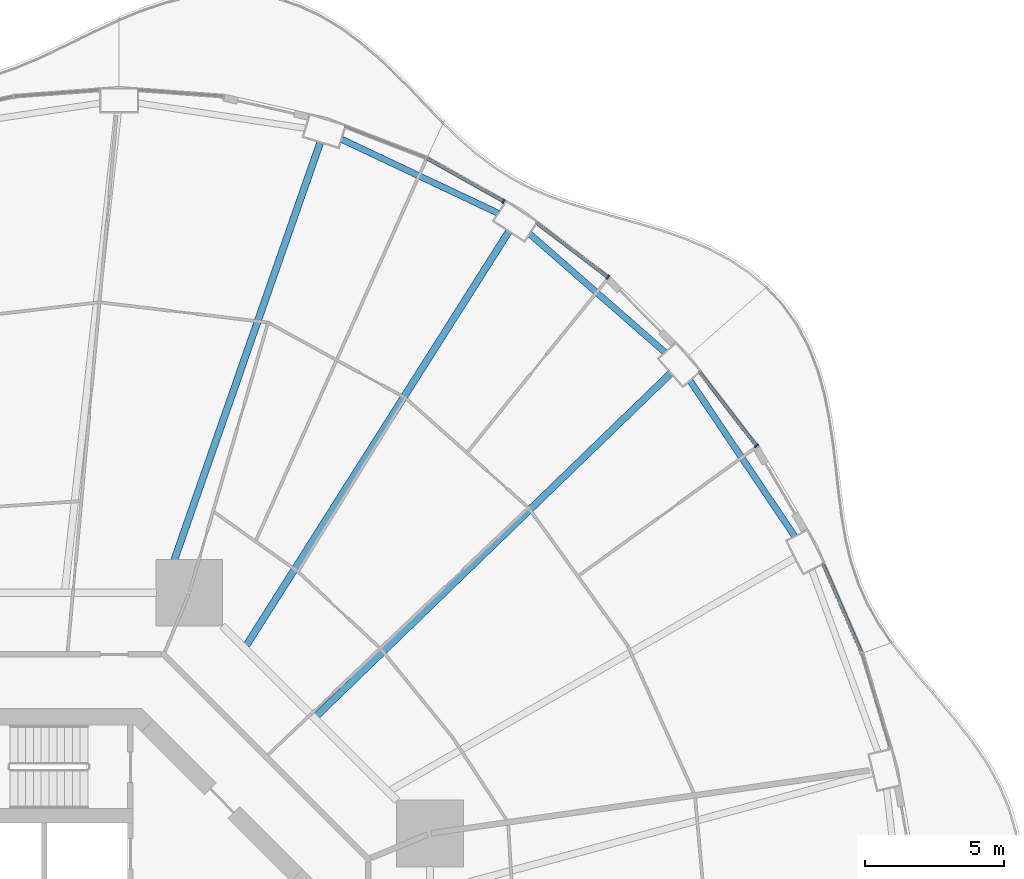
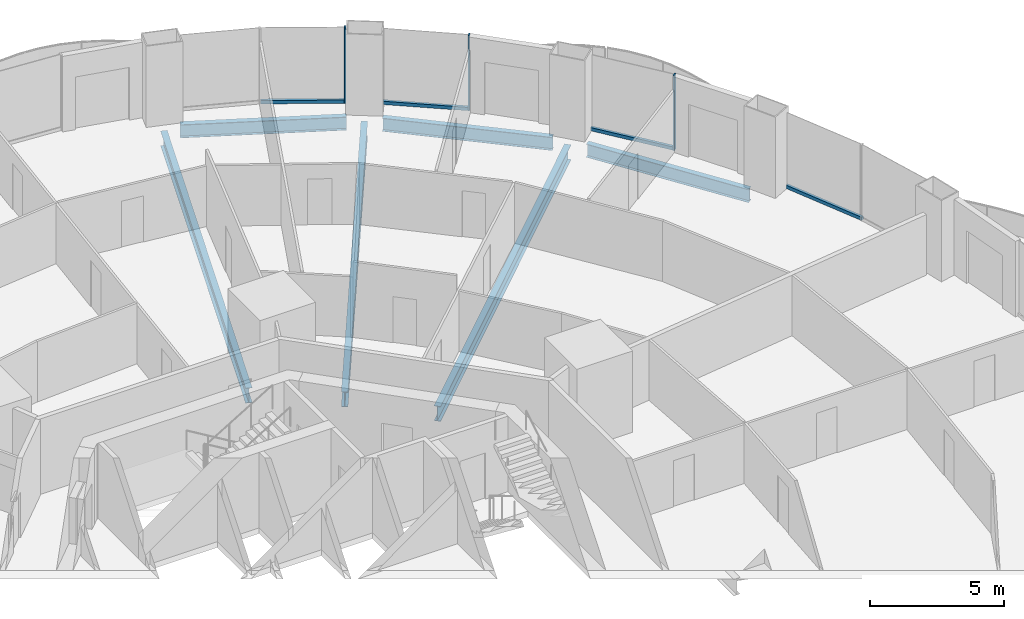
# One storey, part 10 of 22: 7 members, 6 beams, 4 elements without a shape of their own.
"""IFC4 building model written with IfcOpenShell, lengths in metres."""

from ifc_helpers import new_model, si_unit, direction, frame, origin, origin_2d, place, context, subcontext, project, spatial, rectangle, i_section, extrude, material, layer, layer_set, material_profile, profile_set, type_object, element, aggregate, save


model = new_model("IFC4")

# Units and contexts
model_context = context("Model", 3, precision=1e-05, world=origin(), true_north=direction((0.0, 1.0)))
body_context = subcontext(model_context, "Body", "Model", "MODEL_VIEW")
ifc_project = project(units=[si_unit("LENGTHUNIT", "METRE"), si_unit("AREAUNIT", "SQUARE_METRE"), si_unit("VOLUMEUNIT", "CUBIC_METRE"), si_unit("PLANEANGLEUNIT", "RADIAN"), si_unit("MASSUNIT", "GRAM", prefix="KILO")], contexts=[model_context])

# Site, building, storey
site_placement = place(None, origin())
site = spatial("IfcSite", under=ifc_project, at=site_placement, CompositionType="ELEMENT")
building_placement = place(site_placement, origin())
building = spatial("IfcBuilding", under=site, at=building_placement, Name="Nagisa Residences", CompositionType="ELEMENT")
storey_placement = place(building_placement, frame((0.0, 0.0, 49.199951171875)))
storey = spatial("IfcBuildingStorey", under=building, at=storey_placement, Name="L11", CompositionType="ELEMENT", Elevation=49.199951171875)

# Curtain wall, member
ifc_material_1 = material(Name="Concrete-coloured aluminium curtain wall system", Category="concrete")
ifc_layer = layer(ifc_material_1, 0.159912109375)
ifc_layer_set = layer_set([ifc_layer], Name="CW1 CURTAIN WALL")
curtain_wall_type = type_object("IfcCurtainWallType", Name="CW1 CURTAIN WALL", PredefinedType="NOTDEFINED", material=ifc_layer_set)
curtain_wall_1_placement = place(storey_placement, origin())
curtain_wall_1 = element("IfcCurtainWall", 1, at=curtain_wall_1_placement, inside=storey, type_object=curtain_wall_type, Name="cw:CW1:L11:05", PredefinedType="NOTDEFINED")
ifc_material_2 = material(Name="Concrete-coloured aluminium", Category="concrete")
ifc_material_profile_1 = material_profile(ifc_material_2, rectangle(XDim=0.159912109375, YDim=0.06005859375, at=origin_2d()), Name="CW1 MULLION 160x60")
ifc_profile_set_1 = profile_set([ifc_material_profile_1], Name="Concrete-coloured aluminium")
member_type_1 = type_object("IfcMemberType", Name="CW1 MULLION 160x60", PredefinedType="MULLION", material=ifc_profile_set_1)
member_1_placement = place(storey_placement, frame((26.525634765625, 20.06396484375, 0.0), z_axis=(0.0, 0.0, 1.0), x_axis=(-0.792070340816, -0.610429828235, 0.0)))
member_1 = element("IfcMember", 2, at=member_1_placement, type_object=member_type_1, Name="CW1 mullion", PredefinedType="MULLION", context=body_context, shape_type="SweptSolid", body=[
    extrude(rectangle(XDim=0.159912109375, YDim=0.06005859375, at=origin_2d()), origin(), (0.0, 0.0, 1.0), 3.43994140625),
])

curtain_wall_2_placement = place(storey_placement, origin())
curtain_wall_2 = element("IfcCurtainWall", 3, at=curtain_wall_2_placement, inside=storey, type_object=curtain_wall_type, Name="cw:CW1:L11:07", PredefinedType="NOTDEFINED")
member_2_placement = place(storey_placement, frame((21.181884765625, 26.13525390625, 0.0), z_axis=(0.0, 0.0, 1.0), x_axis=(-0.605255421737, -0.79603132756, 0.0)))
member_2 = element("IfcMember", 4, at=member_2_placement, type_object=member_type_1, Name="CW1 mullion", PredefinedType="MULLION", context=body_context, shape_type="SweptSolid", body=[
    extrude(rectangle(XDim=0.159912109375, YDim=0.06005859375, at=origin_2d()), origin(), (0.0, 0.0, 1.0), 3.43994140625),
])

curtain_wall_3_placement = place(storey_placement, origin())
curtain_wall_3 = element("IfcCurtainWall", 5, at=curtain_wall_3_placement, inside=storey, type_object=curtain_wall_type, Name="cw:CW1:L11:08", PredefinedType="NOTDEFINED")
member_3_placement = place(storey_placement, frame((17.42431640625, 28.8662109375, 0.0), z_axis=(0.0, 0.0, 1.0), x_axis=(-0.489376918501, -0.872072377523, 0.0)))
member_3 = element("IfcMember", 6, at=member_3_placement, type_object=member_type_1, Name="CW1 mullion", PredefinedType="MULLION", context=body_context, shape_type="SweptSolid", body=[
    extrude(rectangle(XDim=0.159912109375, YDim=0.06005859375, at=origin_2d()), origin(), (0.0, 0.0, 1.0), 3.43994140625),
])

curtain_wall_4_placement = place(storey_placement, origin())
curtain_wall_4 = element("IfcCurtainWall", 7, at=curtain_wall_4_placement, inside=storey, type_object=curtain_wall_type, Name="cw:CW1:L11:03", PredefinedType="NOTDEFINED")
ifc_material_3 = material(Name="Concrete-coloured aluminium", Category="concrete")
ifc_material_profile_2 = material_profile(ifc_material_3, rectangle(XDim=0.1201171875, YDim=0.14990234375, at=origin_2d()), Name="CW1 TRANSOM 120x150")
ifc_profile_set_2 = profile_set([ifc_material_profile_2], Name="Concrete-coloured aluminium")
member_type_2 = type_object("IfcMemberType", Name="CW1 TRANSOM 120x150", PredefinedType="USERDEFINED", material=ifc_profile_set_2)
member_4_placement = place(storey_placement, frame((30.319091796875, 12.5966796875, 0.074951171875), z_axis=(-0.397624958345, 0.917548032803, 0.0), x_axis=(-0.917548032803, -0.397624958345, 0.0)))
member_4 = element("IfcMember", 8, at=member_4_placement, type_object=member_type_2, Name="CW1 transom", ObjectType="TRANSOM", PredefinedType="USERDEFINED", context=body_context, shape_type="SweptSolid", body=[
    extrude(rectangle(XDim=0.1201171875, YDim=0.14990234375, at=origin_2d()), origin(), (0.0, 0.0, 1.0), 3.51953125),
])
aggregate(curtain_wall_4, [member_4])

# Member
member_5_placement = place(storey_placement, frame((26.5439453125, 20.040283203125, 0.074951171875), z_axis=(-0.610457147657, 0.792049285635, 0.0), x_axis=(-0.792049285635, -0.610457147657, 0.0)))
member_5 = element("IfcMember", 9, at=member_5_placement, type_object=member_type_2, Name="CW1 transom", ObjectType="TRANSOM", PredefinedType="USERDEFINED", context=body_context, shape_type="SweptSolid", body=[
    extrude(rectangle(XDim=0.1201171875, YDim=0.14990234375, at=origin_2d()), origin(), (0.0, 0.0, 1.0), 3.3974609375),
])

aggregate(curtain_wall_1, [member_1, member_5])

member_6_placement = place(storey_placement, frame((21.20556640625, 26.116943359375, 0.074951171875), z_axis=(-0.79599487499, 0.605303361125, 0.0), x_axis=(-0.605303361125, -0.79599487499, 0.0)))
member_6 = element("IfcMember", 10, at=member_6_placement, type_object=member_type_2, Name="CW1 transom", ObjectType="TRANSOM", PredefinedType="USERDEFINED", context=body_context, shape_type="SweptSolid", body=[
    extrude(rectangle(XDim=0.1201171875, YDim=0.14990234375, at=origin_2d()), origin(), (0.0, 0.0, 1.0), 3.26220703125),
])

aggregate(curtain_wall_2, [member_2, member_6])

member_7_placement = place(storey_placement, frame((17.450439453125, 28.8515625, 0.074951171875), z_axis=(-0.872070011948, 0.489381133946, 0.0), x_axis=(-0.489381133946, -0.872070011948, 0.0)))
member_7 = element("IfcMember", 11, at=member_7_placement, type_object=member_type_2, Name="CW1 transom", ObjectType="TRANSOM", PredefinedType="USERDEFINED", context=body_context, shape_type="SweptSolid", body=[
    extrude(rectangle(XDim=0.1201171875, YDim=0.14990234375, at=origin_2d()), origin(), (0.0, 0.0, 1.0), 3.201171875),
])

aggregate(curtain_wall_3, [member_3, member_7])

# Beams
ifc_material_4 = material(Name="Steel ASTM A572 Gr 50", Category="steel")
ifc_material_profile_3 = material_profile(ifc_material_4, i_section(OverallWidth=0.22802734375, OverallDepth=0.60302734375, WebThickness=0.010498046875, FlangeThickness=0.014892578125, at=origin_2d()), Name="W610x101")
ifc_profile_set_3 = profile_set([ifc_material_profile_3], Name="Steel ASTM A572 Gr 50")
beam_type_1 = type_object("IfcBeamType", Name="Perimeter ring beam W610x101", PredefinedType="BEAM", material=ifc_profile_set_3)
beam_1_placement = place(storey_placement, frame((27.899169921875, 16.818603515625, -0.5615234375), z_axis=(-0.558271879663, 0.829658067144, 0.0), x_axis=(-0.829658067144, -0.558271879663, 0.0)))
element("IfcBeam", 12, at=beam_1_placement, inside=storey, type_object=beam_type_1, Name="beam:L11:pb03", PredefinedType="BEAM", context=body_context, shape_type="SweptSolid", body=[
    extrude(i_section(OverallWidth=0.22802734375, OverallDepth=0.60302734375, WebThickness=0.010498046875, FlangeThickness=0.014892578125, at=origin_2d()), origin(), (0.0, 0.0, 1.0), 6.74169921875),
])
beam_2_placement = place(storey_placement, frame((23.236328125, 23.432861328125, -0.5615234375), z_axis=(-0.7525907186, 0.658488580217, 0.0), x_axis=(-0.658488580217, -0.7525907186, 0.0)))
element("IfcBeam", 13, at=beam_2_placement, inside=storey, type_object=beam_type_1, Name="beam:L11:pb04", PredefinedType="BEAM", context=body_context, shape_type="SweptSolid", body=[
    extrude(i_section(OverallWidth=0.22802734375, OverallDepth=0.60302734375, WebThickness=0.010498046875, FlangeThickness=0.014892578125, at=origin_2d()), origin(), (0.0, 0.0, 1.0), 6.470458984375),
])
beam_3_placement = place(storey_placement, frame((17.22900390625, 28.439208984375, -0.5615234375), z_axis=(-0.904215426643, 0.427076646774, 0.0), x_axis=(-0.427076646774, -0.904215426643, 0.0)))
element("IfcBeam", 14, at=beam_3_placement, inside=storey, type_object=beam_type_1, Name="beam:L11:pb05", PredefinedType="BEAM", context=body_context, shape_type="SweptSolid", body=[
    extrude(i_section(OverallWidth=0.22802734375, OverallDepth=0.60302734375, WebThickness=0.010498046875, FlangeThickness=0.014892578125, at=origin_2d()), origin(), (0.0, 0.0, 1.0), 6.2275390625),
])
ifc_material_5 = material(Name="Steel ASTM A572 Gr 50", Category="steel")
ifc_material_profile_4 = material_profile(ifc_material_5, i_section(OverallWidth=0.25390625, OverallDepth=0.68408203125, WebThickness=0.012451171875, FlangeThickness=0.018798828125, at=origin_2d()), Name="W690x140")
ifc_profile_set_4 = profile_set([ifc_material_profile_4], Name="Steel ASTM A572 Gr 50")
beam_type_2 = type_object("IfcBeamType", Name="Radial beam W690x140", PredefinedType="BEAM", material=ifc_profile_set_4)
beam_4_placement = place(storey_placement, frame((23.443115234375, 22.681640625, -0.60205078125), z_axis=(-0.718678305776, -0.695342716081, 0.0), x_axis=(0.695342716081, -0.718678305776, 0.0)))
element("IfcBeam", 15, at=beam_4_placement, inside=storey, type_object=beam_type_2, Name="beam:L11:rb04", PredefinedType="BEAM", context=body_context, shape_type="SweptSolid", body=[
    extrude(i_section(OverallWidth=0.25390625, OverallDepth=0.68408203125, WebThickness=0.012451171875, FlangeThickness=0.018798828125, at=origin_2d()), origin(), (0.0, 0.0, 1.0), 17.722900390625),
])
beam_5_placement = place(storey_placement, frame((17.61962890625, 27.78271484375, -0.60205078125), z_axis=(-0.53556610664, -0.844493306911, 0.0), x_axis=(0.844493306911, -0.53556610664, 0.0)))
element("IfcBeam", 16, at=beam_5_placement, inside=storey, type_object=beam_type_2, Name="beam:L11:rb05", PredefinedType="BEAM", context=body_context, shape_type="SweptSolid", body=[
    extrude(i_section(OverallWidth=0.25390625, OverallDepth=0.68408203125, WebThickness=0.012451171875, FlangeThickness=0.018798828125, at=origin_2d()), origin(), (0.0, 0.0, 1.0), 17.63525390625),
])
beam_6_placement = place(storey_placement, frame((10.834228515625, 30.986328125, -0.60205078125), z_axis=(-0.330051195485, -0.943963033364, 0.0), x_axis=(0.943963033364, -0.330051195485, 0.0)))
element("IfcBeam", 17, at=beam_6_placement, inside=storey, type_object=beam_type_2, Name="beam:L11:rb06", PredefinedType="BEAM", context=body_context, shape_type="SweptSolid", body=[
    extrude(i_section(OverallWidth=0.25390625, OverallDepth=0.68408203125, WebThickness=0.012451171875, FlangeThickness=0.018798828125, at=origin_2d()), origin(), (0.0, 0.0, 1.0), 17.045654296875),
])

save(model, "model.ifc")
